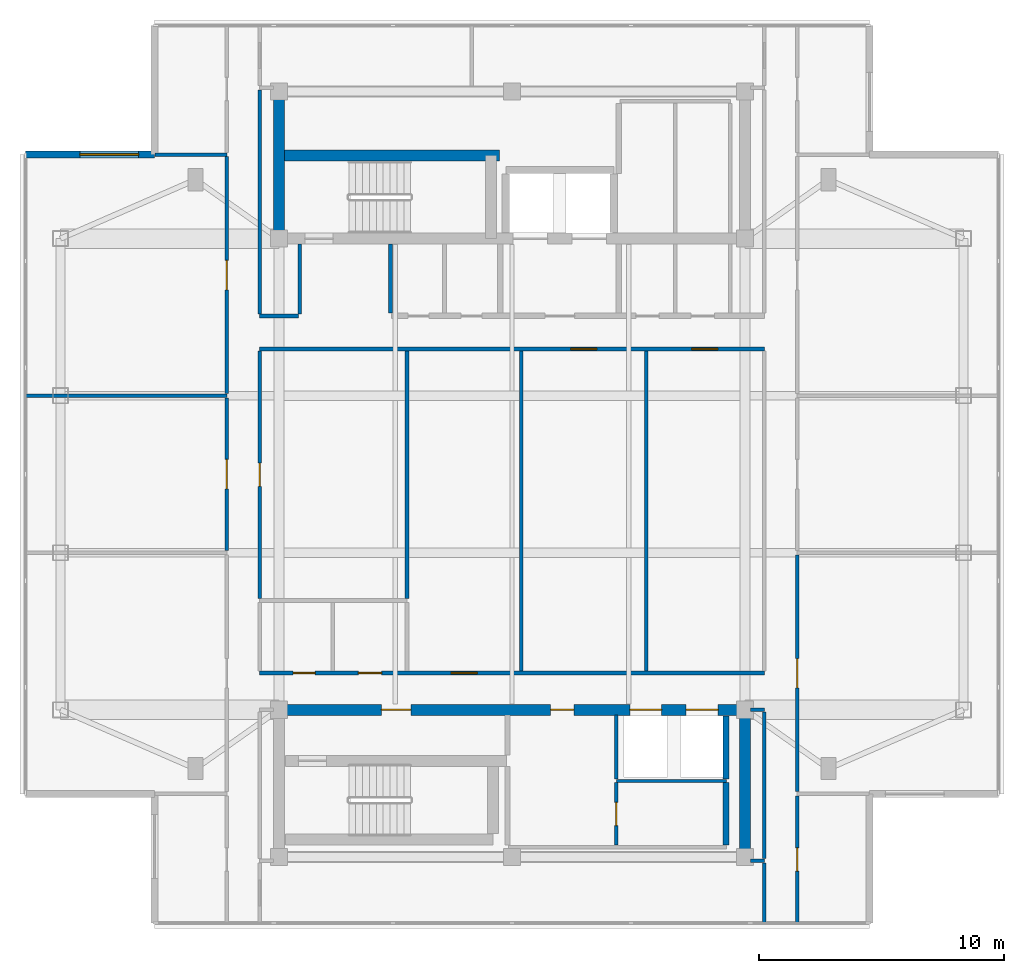
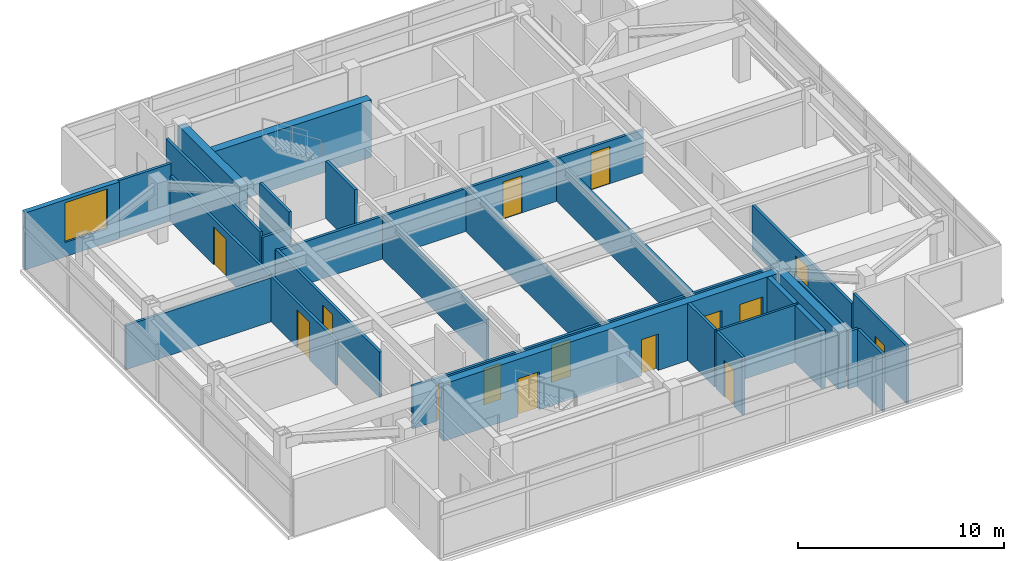
# One storey, part 5 of 10: 30 walls, 15 doors, 1 window, 16 openings.
"""IFC4 building model written with IfcOpenShell, lengths in metres."""

from ifc_helpers import new_model, si_unit, direction, frame, frame_2d, origin, place, context, subcontext, project, spatial, rectangle, extrude, material, layer, layer_set, type_object, element, fill, save


model = new_model("IFC4")

# Units and contexts
model_context = context("Model", 3, precision=1e-05, world=origin(), true_north=direction((0.0, 1.0)))
body_context = subcontext(model_context, "Body", "Model", "MODEL_VIEW")
ifc_project = project(units=[si_unit("LENGTHUNIT", "METRE"), si_unit("AREAUNIT", "SQUARE_METRE"), si_unit("VOLUMEUNIT", "CUBIC_METRE"), si_unit("PLANEANGLEUNIT", "RADIAN"), si_unit("MASSUNIT", "GRAM", prefix="KILO")], contexts=[model_context])

# Site, building, storey
site_placement = place(None, origin())
site = spatial("IfcSite", under=ifc_project, at=site_placement, CompositionType="ELEMENT")
building_placement = place(site_placement, origin())
building = spatial("IfcBuilding", under=site, at=building_placement, Name="Mirazonda Arch Towers", CompositionType="ELEMENT")
storey_placement = place(building_placement, frame((0.0, 0.0, 249.10009765625)))
storey = spatial("IfcBuildingStorey", under=building, at=storey_placement, Name="L71", CompositionType="ELEMENT", Elevation=249.10009765625)

# Walls
ifc_material_1 = material(Name="Concrete C50/60", Category="concrete")
ifc_layer_1 = layer(ifc_material_1, 0.449951171875, Name="WALL-CORE-450")
ifc_layer_set_1 = layer_set([ifc_layer_1], Name="Concrete C50/60")
wall_type_1 = type_object("IfcWallType", Name="WALL-CORE-450", PredefinedType="SHEAR", material=ifc_layer_set_1)
wall_1_placement = place(storey_placement, frame((11.0, 37.60009765625, 0.0), z_axis=(0.0, 0.0, 1.0), x_axis=(0.0, 1.0, 0.0)))
element("IfcWall", 1, at=wall_1_placement, inside=storey, type_object=wall_type_1, Name="L71 T1N-W Core Shear Wall", PredefinedType="SHEAR", context=body_context, shape_type="SweptSolid", body=[
    extrude(rectangle(XDim=6.0, YDim=0.449951171875, at=frame_2d((3.0, 0.0))), origin(), (0.0, 0.0, 1.0), 3.39990234375),
])
wall_2_placement = place(storey_placement, frame((11.0, 40.992919921875, 0.0), z_axis=(0.0, 0.0, 1.0), x_axis=(1.0, 0.0, 0.0)))
element("IfcWall", 2, at=wall_2_placement, inside=storey, type_object=wall_type_1, Name="L71 T1N-STN Core Shear Wall", PredefinedType="SHEAR", context=body_context, shape_type="SweptSolid", body=[
    extrude(rectangle(XDim=9.0, YDim=0.449951171875, at=frame_2d((4.5, 0.0))), origin(), (0.0, 0.0, 1.0), 3.39990234375),
])
wall_3_placement = place(storey_placement, frame((30.0, 12.39990234375, 0.0), z_axis=(0.0, 0.0, 1.0), x_axis=(0.0, 1.0, 0.0)))
element("IfcWall", 3, at=wall_3_placement, inside=storey, type_object=wall_type_1, Name="L71 T1S-E Core Shear Wall", PredefinedType="SHEAR", context=body_context, shape_type="SweptSolid", body=[
    extrude(rectangle(XDim=6.0, YDim=0.449951171875, at=frame_2d((3.0, 0.0))), origin(), (0.0, 0.0, 1.0), 3.39990234375),
])

# Wall, openings, doors
wall_4_placement = place(storey_placement, frame((11.0, 18.39990234375, 0.0), z_axis=(0.0, 0.0, 1.0), x_axis=(1.0, 0.0, 0.0)))
wall_4 = element("IfcWall", 4, at=wall_4_placement, inside=storey, type_object=wall_type_1, Name="L71 T1S-N Core Shear Wall", PredefinedType="SHEAR", context=body_context, shape_type="SweptSolid", body=[
    extrude(rectangle(XDim=19.0, YDim=0.449951171875, at=frame_2d((9.5, 0.0))), origin(), (0.0, 0.0, 1.0), 3.39990234375),
])
opening_1_placement = place(wall_4_placement, frame((4.175048828125, 0.0, 0.0)))
opening_1 = element("IfcOpeningElement", 5, at=opening_1_placement, cuts=wall_4, Name="Opening DR-117", PredefinedType="OPENING", context=body_context, shape_type="SweptSolid", body=[
    extrude(rectangle(XDim=1.199951171875, YDim=2.25, at=frame_2d((0.60009765625, 1.125))), frame((0.0, 0.23486328125, 0.0), z_axis=(0.0, -1.0, 0.0), x_axis=(1.0, 0.0, 0.0)), (0.0, 0.0, 1.0), 0.469970703125),
])
opening_2_placement = place(wall_4_placement, frame((11.074951171875, 0.0, 0.0)))
opening_2 = element("IfcOpeningElement", 6, at=opening_2_placement, cuts=wall_4, Name="Opening DR-104", PredefinedType="OPENING", context=body_context, shape_type="SweptSolid", body=[
    extrude(rectangle(XDim=0.949951171875, YDim=2.14990234375, at=frame_2d((0.47509765625, 1.074951171875))), frame((0.0, 0.23486328125, 0.0), z_axis=(0.0, -1.0, 0.0), x_axis=(1.0, 0.0, 0.0)), (0.0, 0.0, 1.0), 0.469970703125),
])
opening_3_placement = place(wall_4_placement, frame((14.300048828125, 0.0, 0.0)))
opening_3 = element("IfcOpeningElement", 7, at=opening_3_placement, cuts=wall_4, Name="Opening LD-111", PredefinedType="OPENING", context=body_context, shape_type="SweptSolid", body=[
    extrude(rectangle(XDim=1.300048828125, YDim=2.300048828125, at=frame_2d((0.64990234375, 1.14990234375))), frame((0.0, 0.23486328125, 0.0), z_axis=(0.0, -1.0, 0.0), x_axis=(1.0, 0.0, 0.0)), (0.0, 0.0, 1.0), 0.469970703125),
])
opening_4_placement = place(wall_4_placement, frame((16.60009765625, 0.0, 0.0)))
opening_4 = element("IfcOpeningElement", 8, at=opening_4_placement, cuts=wall_4, Name="Opening LD-111", PredefinedType="OPENING", context=body_context, shape_type="SweptSolid", body=[
    extrude(rectangle(XDim=1.300048828125, YDim=2.300048828125, at=frame_2d((0.64990234375, 1.14990234375))), frame((0.0, 0.23486328125, 0.0), z_axis=(0.0, -1.0, 0.0), x_axis=(1.0, 0.0, 0.0)), (0.0, 0.0, 1.0), 0.469970703125),
])
ifc_material_2 = material(Name="Architectural Brushed Steel S355", Category="steel")
door_type_1 = type_object("IfcDoorType", Name="DOOR-FFL-FD90-1200", OperationType="NOTDEFINED", PredefinedType="DOOR", material=ifc_material_2)
door_1_placement = place(opening_1_placement, origin())
door_1 = element("IfcDoor", 9, at=door_1_placement, inside=storey, type_object=door_type_1, Name="L71 South Core Stair & Lift Lobby Door", OperationType="SINGLE_SWING_LEFT", OverallHeight=2.25, OverallWidth=1.199951171875, PredefinedType="DOOR", context=body_context, shape_type="SweptSolid", body=[
    extrude(rectangle(XDim=1.199951171875, YDim=2.25, at=frame_2d((0.60009765625, 1.125))), frame((0.0, 0.02490234375, 0.0), z_axis=(0.0, -1.0, 0.0), x_axis=(1.0, 0.0, 0.0)), (0.0, 0.0, 1.0), 0.050048828125),
])
fill(opening_1, door_1)
door_type_2 = type_object("IfcDoorType", Name="DOOR-LIFT-LAND-1300", OperationType="NOTDEFINED", PredefinedType="DOOR", material=ifc_material_2)
door_2_placement = place(opening_3_placement, origin())
door_2 = element("IfcDoor", 10, at=door_2_placement, inside=storey, type_object=door_type_2, Name="L71 Lift Landing Sliding Door PL-T1H1", OperationType="DOUBLE_DOOR_SLIDING", OverallHeight=2.300048828125, OverallWidth=1.300048828125, PredefinedType="DOOR", context=body_context, shape_type="SweptSolid", body=[
    extrude(rectangle(XDim=1.300048828125, YDim=2.300048828125, at=frame_2d((0.64990234375, 1.14990234375))), frame((0.0, 0.02490234375, 0.0), z_axis=(0.0, -1.0, 0.0), x_axis=(1.0, 0.0, 0.0)), (0.0, 0.0, 1.0), 0.050048828125),
])
fill(opening_3, door_2)
door_3_placement = place(opening_4_placement, origin())
door_3 = element("IfcDoor", 11, at=door_3_placement, inside=storey, type_object=door_type_2, Name="L71 Lift Landing Sliding Door PL-T1H2", OperationType="DOUBLE_DOOR_SLIDING", OverallHeight=2.300048828125, OverallWidth=1.300048828125, PredefinedType="DOOR", context=body_context, shape_type="SweptSolid", body=[
    extrude(rectangle(XDim=1.300048828125, YDim=2.300048828125, at=frame_2d((0.64990234375, 1.14990234375))), frame((0.0, 0.02490234375, 0.0), z_axis=(0.0, -1.0, 0.0), x_axis=(1.0, 0.0, 0.0)), (0.0, 0.0, 1.0), 0.050048828125),
])
fill(opening_4, door_3)
door_type_3 = type_object("IfcDoorType", Name="DOOR-ROOM-950", OperationType="NOTDEFINED", PredefinedType="DOOR", material=ifc_material_2)
door_4_placement = place(opening_2_placement, origin())
door_4 = element("IfcDoor", 12, at=door_4_placement, inside=storey, type_object=door_type_3, Name="L71 Residents Wine Tasting Lounge Door", OperationType="SINGLE_SWING_LEFT", OverallHeight=2.14990234375, OverallWidth=0.949951171875, PredefinedType="DOOR", context=body_context, shape_type="SweptSolid", body=[
    extrude(rectangle(XDim=0.949951171875, YDim=2.14990234375, at=frame_2d((0.47509765625, 1.074951171875))), frame((0.0, 0.02490234375, 0.0), z_axis=(0.0, -1.0, 0.0), x_axis=(1.0, 0.0, 0.0)), (0.0, 0.0, 1.0), 0.050048828125),
])
fill(opening_2, door_4)

# Wall, opening, window
ifc_material_3 = material(Name="Precast Concrete C40/50", Category="concrete")
ifc_layer_2 = layer(ifc_material_3, 0.280029296875, Name="WALL-EXT-WALL-280")
ifc_layer_set_2 = layer_set([ifc_layer_2], Name="Precast Concrete C40/50")
wall_type_2 = type_object("IfcWallType", Name="WALL-EXT-WALL-280", PredefinedType="SOLIDWALL", material=ifc_layer_set_2)
wall_5_placement = place(storey_placement, frame((5.93505859375, 41.02490234375, 0.0), z_axis=(0.0, 0.0, 1.0), x_axis=(-1.0, 0.0, 0.0)))
wall_5 = element("IfcWall", 13, at=wall_5_placement, inside=storey, type_object=wall_type_2, Name="L71 T1 Corner Notch Return Wall WL-L71-T1-CNW1", PredefinedType="SOLIDWALL", context=body_context, shape_type="SweptSolid", body=[
    extrude(rectangle(XDim=5.26513671875, YDim=0.280029296875, at=frame_2d((2.632568359375, 0.0))), origin(), (0.0, 0.0, 1.0), 3.3798828125),
])
opening_5_placement = place(wall_5_placement, frame((0.64990234375, 0.0, 0.85009765625)))
opening_5 = element("IfcOpeningElement", 14, at=opening_5_placement, cuts=wall_5, Name="Opening WN-121", PredefinedType="OPENING", context=body_context, shape_type="SweptSolid", body=[
    extrude(rectangle(XDim=2.39990234375, YDim=2.35009765625, at=frame_2d((1.199951171875, 1.175048828125))), frame((0.0, 0.14990234375, 0.0), z_axis=(0.0, -1.0, 0.0), x_axis=(1.0, 0.0, 0.0)), (0.0, 0.0, 1.0), 0.300048828125),
])
ifc_material_4 = material(Name="Insulated Low-E Solar Glass", Category="glass")
window_type = type_object("IfcWindowType", Name="WIN-PENT-2400x2350", PartitioningType="SINGLE_PANEL", PredefinedType="WINDOW", material=ifc_material_4)
window_placement = place(opening_5_placement, origin())
window = element("IfcWindow", 15, at=window_placement, inside=storey, type_object=window_type, Name="L71 Punched Facade Window WN-L71-T1-CNW1", OverallHeight=2.35009765625, OverallWidth=2.39990234375, PartitioningType="SINGLE_PANEL", PredefinedType="WINDOW", context=body_context, shape_type="SweptSolid", body=[
    extrude(rectangle(XDim=2.39990234375, YDim=2.35009765625, at=frame_2d((1.199951171875, 1.175048828125))), frame((0.0, 0.030029296875, 0.0), z_axis=(0.0, -1.0, 0.0), x_axis=(1.0, 0.0, 0.0)), (0.0, 0.0, 1.0), 0.06005859375),
])
fill(opening_5, window)

# Walls
ifc_material_5 = material(Name="Fire-Rated Gypsum Stud Partition")
ifc_layer_3 = layer(ifc_material_5, 0.14990234375, Name="WALL-PART-CORR-150")
ifc_layer_set_3 = layer_set([ifc_layer_3], Name="Fire-Rated Gypsum Stud Partition")
wall_type_3 = type_object("IfcWallType", Name="WALL-PART-CORR-150", PredefinedType="PARTITIONING", material=ifc_layer_set_3)
wall_6_placement = place(storey_placement, frame((30.219970703125, 12.25, 0.0), z_axis=(0.0, 0.0, 1.0), x_axis=(1.0, 0.0, 0.0)))
element("IfcWall", 16, at=wall_6_placement, inside=storey, type_object=wall_type_3, Name="L71 Interior Partition 002", PredefinedType="PARTITIONING", context=body_context, shape_type="SweptSolid", body=[
    extrude(rectangle(XDim=0.56005859375, YDim=0.14990234375, at=frame_2d((0.280029296875, 0.0))), origin(), (0.0, 0.0, 1.0), 3.39990234375),
])
wall_7_placement = place(storey_placement, frame((30.219970703125, 18.39990234375, 0.0), z_axis=(0.0, 0.0, 1.0), x_axis=(1.0, 0.0, 0.0)))
element("IfcWall", 17, at=wall_7_placement, inside=storey, type_object=wall_type_3, Name="L71 Interior Partition 010", PredefinedType="PARTITIONING", context=body_context, shape_type="SweptSolid", body=[
    extrude(rectangle(XDim=0.56005859375, YDim=0.14990234375, at=frame_2d((0.280029296875, 0.0))), origin(), (0.0, 0.0, 1.0), 2.7919921875),
])

# Wall, openings, doors
wall_8_placement = place(storey_placement, frame((10.219970703125, 19.89990234375, 0.0), z_axis=(0.0, 0.0, 1.0), x_axis=(1.0, 0.0, 0.0)))
wall_8 = element("IfcWall", 18, at=wall_8_placement, inside=storey, type_object=wall_type_3, Name="L71 Interior Partition 011", PredefinedType="PARTITIONING", context=body_context, shape_type="SweptSolid", body=[
    extrude(rectangle(XDim=20.56005859375, YDim=0.14990234375, at=frame_2d((10.280029296875, 0.0))), origin(), (0.0, 0.0, 1.0), 2.535888671875),
])
opening_6_placement = place(wall_8_placement, frame((1.360107421875, 0.0, 0.0)))
opening_6 = element("IfcOpeningElement", 19, at=opening_6_placement, cuts=wall_8, Name="Opening DR-120", PredefinedType="OPENING", context=body_context, shape_type="SweptSolid", body=[
    extrude(rectangle(XDim=0.89990234375, YDim=2.10009765625, at=frame_2d((0.449951171875, 1.050048828125))), frame((0.0, 0.0849609375, 0.0), z_axis=(0.0, -1.0, 0.0), x_axis=(1.0, 0.0, 0.0)), (0.0, 0.0, 1.0), 0.169921875),
])
opening_7_placement = place(wall_8_placement, frame((4.014892578125, 0.0, 0.0)))
opening_7 = element("IfcOpeningElement", 20, at=opening_7_placement, cuts=wall_8, Name="Opening DR-104", PredefinedType="OPENING", context=body_context, shape_type="SweptSolid", body=[
    extrude(rectangle(XDim=0.949951171875, YDim=2.14990234375, at=frame_2d((0.47509765625, 1.074951171875))), frame((0.0, 0.0849609375, 0.0), z_axis=(0.0, -1.0, 0.0), x_axis=(1.0, 0.0, 0.0)), (0.0, 0.0, 1.0), 0.169921875),
])
opening_8_placement = place(wall_8_placement, frame((7.804443359375, 0.0, 0.0)))
opening_8 = element("IfcOpeningElement", 21, at=opening_8_placement, cuts=wall_8, Name="Opening DR-121", PredefinedType="OPENING", context=body_context, shape_type="SweptSolid", body=[
    extrude(rectangle(XDim=1.050048828125, YDim=2.199951171875, at=frame_2d((0.52490234375, 1.10009765625))), frame((0.0, 0.0849609375, 0.0), z_axis=(0.0, -1.0, 0.0), x_axis=(1.0, 0.0, 0.0)), (0.0, 0.0, 1.0), 0.169921875),
])
door_5_placement = place(opening_7_placement, origin())
door_5 = element("IfcDoor", 22, at=door_5_placement, inside=storey, type_object=door_type_3, Name="L71 L71 West Courtyard Study Door", OperationType="SINGLE_SWING_RIGHT", OverallHeight=2.14990234375, OverallWidth=0.949951171875, PredefinedType="DOOR", context=body_context, shape_type="SweptSolid", body=[
    extrude(rectangle(XDim=0.949951171875, YDim=2.14990234375, at=frame_2d((0.47509765625, 1.074951171875))), frame((0.0, 0.02490234375, 0.0), z_axis=(0.0, -1.0, 0.0), x_axis=(1.0, 0.0, 0.0)), (0.0, 0.0, 1.0), 0.050048828125),
])
fill(opening_7, door_5)
door_type_4 = type_object("IfcDoorType", Name="DOOR-SUITE-FD60-1050", OperationType="NOTDEFINED", PredefinedType="DOOR", material=ifc_material_2)
door_6_placement = place(opening_8_placement, origin())
door_6 = element("IfcDoor", 23, at=door_6_placement, inside=storey, type_object=door_type_4, Name="L71 Sky-Atrium Orientation Gallery Door", OperationType="SINGLE_SWING_RIGHT", OverallHeight=2.199951171875, OverallWidth=1.050048828125, PredefinedType="DOOR", context=body_context, shape_type="SweptSolid", body=[
    extrude(rectangle(XDim=1.050048828125, YDim=2.199951171875, at=frame_2d((0.52490234375, 1.10009765625))), frame((0.0, 0.02490234375, 0.0), z_axis=(0.0, -1.0, 0.0), x_axis=(1.0, 0.0, 0.0)), (0.0, 0.0, 1.0), 0.050048828125),
])
fill(opening_8, door_6)
door_type_5 = type_object("IfcDoorType", Name="DOOR-WC-900", OperationType="NOTDEFINED", PredefinedType="DOOR", material=ifc_material_2)
door_7_placement = place(opening_6_placement, origin())
door_7 = element("IfcDoor", 24, at=door_7_placement, inside=storey, type_object=door_type_5, Name="L71 Common Accessible WC Door", OperationType="SINGLE_SWING_LEFT", OverallHeight=2.10009765625, OverallWidth=0.89990234375, PredefinedType="DOOR", context=body_context, shape_type="SweptSolid", body=[
    extrude(rectangle(XDim=0.89990234375, YDim=2.10009765625, at=frame_2d((0.449951171875, 1.050048828125))), frame((0.0, 0.02490234375, 0.0), z_axis=(0.0, -1.0, 0.0), x_axis=(1.0, 0.0, 0.0)), (0.0, 0.0, 1.0), 0.050048828125),
])
fill(opening_6, door_7)

# Wall
wall_9_placement = place(storey_placement, frame((0.669921875, 31.199951171875, 0.0), z_axis=(0.0, 0.0, 1.0), x_axis=(1.0, 0.0, 0.0)))
element("IfcWall", 25, at=wall_9_placement, inside=storey, type_object=wall_type_3, Name="L71 Interior Partition 015", PredefinedType="PARTITIONING", context=body_context, shape_type="SweptSolid", body=[
    extrude(rectangle(XDim=8.2099609375, YDim=0.14990234375, at=frame_2d((4.10498046875, 0.0))), origin(), (0.0, 0.0, 1.0), 2.618896484375),
])

# Wall, openings, doors
wall_10_placement = place(storey_placement, frame((10.219970703125, 33.10009765625, 0.0), z_axis=(0.0, 0.0, 1.0), x_axis=(1.0, 0.0, 0.0)))
wall_10 = element("IfcWall", 26, at=wall_10_placement, inside=storey, type_object=wall_type_3, Name="L71 Interior Partition 017", PredefinedType="PARTITIONING", context=body_context, shape_type="SweptSolid", body=[
    extrude(rectangle(XDim=20.56005859375, YDim=0.14990234375, at=frame_2d((10.280029296875, 0.0))), origin(), (0.0, 0.0, 1.0), 2.535888671875),
])
opening_9_placement = place(wall_10_placement, frame((12.681884765625, 0.0, 0.0)))
opening_9 = element("IfcOpeningElement", 27, at=opening_9_placement, cuts=wall_10, Name="Opening DR-121", PredefinedType="OPENING", context=body_context, shape_type="SweptSolid", body=[
    extrude(rectangle(XDim=1.050048828125, YDim=2.199951171875, at=frame_2d((0.52490234375, 1.10009765625))), frame((0.0, 0.0849609375, 0.0), z_axis=(0.0, -1.0, 0.0), x_axis=(1.0, 0.0, 0.0)), (0.0, 0.0, 1.0), 0.169921875),
])
opening_10_placement = place(wall_10_placement, frame((17.612548828125, 0.0, 0.0)))
opening_10 = element("IfcOpeningElement", 28, at=opening_10_placement, cuts=wall_10, Name="Opening DR-121", PredefinedType="OPENING", context=body_context, shape_type="SweptSolid", body=[
    extrude(rectangle(XDim=1.050048828125, YDim=2.199951171875, at=frame_2d((0.52490234375, 1.10009765625))), frame((0.0, 0.0849609375, 0.0), z_axis=(0.0, -1.0, 0.0), x_axis=(1.0, 0.0, 0.0)), (0.0, 0.0, 1.0), 0.169921875),
])
door_8_placement = place(opening_9_placement, origin())
door_8 = element("IfcDoor", 29, at=door_8_placement, inside=storey, type_object=door_type_4, Name="L71 Astronomical Viewing Study Door", OperationType="SINGLE_SWING_LEFT", OverallHeight=2.199951171875, OverallWidth=1.050048828125, PredefinedType="DOOR", context=body_context, shape_type="SweptSolid", body=[
    extrude(rectangle(XDim=1.050048828125, YDim=2.199951171875, at=frame_2d((0.52490234375, 1.10009765625))), frame((0.0, 0.02490234375, 0.0), z_axis=(0.0, -1.0, 0.0), x_axis=(1.0, 0.0, 0.0)), (0.0, 0.0, 1.0), 0.050048828125),
])
fill(opening_9, door_8)
door_9_placement = place(opening_10_placement, origin())
door_9 = element("IfcDoor", 30, at=door_9_placement, inside=storey, type_object=door_type_4, Name="L71 Public Refreshment Tea Bar Door", OperationType="SINGLE_SWING_RIGHT", OverallHeight=2.199951171875, OverallWidth=1.050048828125, PredefinedType="DOOR", context=body_context, shape_type="SweptSolid", body=[
    extrude(rectangle(XDim=1.050048828125, YDim=2.199951171875, at=frame_2d((0.52490234375, 1.10009765625))), frame((0.0, 0.02490234375, 0.0), z_axis=(0.0, -1.0, 0.0), x_axis=(1.0, 0.0, 0.0)), (0.0, 0.0, 1.0), 0.050048828125),
])
fill(opening_10, door_9)

# Walls
wall_11_placement = place(storey_placement, frame((10.219970703125, 34.449951171875, 0.0), z_axis=(0.0, 0.0, 1.0), x_axis=(1.0, 0.0, 0.0)))
element("IfcWall", 31, at=wall_11_placement, inside=storey, type_object=wall_type_3, Name="L71 Interior Partition 018", PredefinedType="PARTITIONING", context=body_context, shape_type="SweptSolid", body=[
    extrude(rectangle(XDim=1.580078125, YDim=0.14990234375, at=frame_2d((0.7900390625, 0.0))), origin(), (0.0, 0.0, 1.0), 2.535888671875),
])
wall_12_placement = place(storey_placement, frame((5.955078125, 41.02490234375, 0.0), z_axis=(0.0, 0.0, 1.0), x_axis=(1.0, 0.0, 0.0)))
element("IfcWall", 32, at=wall_12_placement, inside=storey, type_object=wall_type_3, Name="L71 Interior Partition 021", PredefinedType="PARTITIONING", context=body_context, shape_type="SweptSolid", body=[
    extrude(rectangle(XDim=2.9248046875, YDim=0.14990234375, at=frame_2d((1.46240234375, 0.0))), origin(), (0.0, 0.0, 1.0), 3.39990234375),
])

# Wall, opening, door
wall_13_placement = place(storey_placement, frame((8.8798828125, 24.885009765625, 0.0), z_axis=(0.0, 0.0, 1.0), x_axis=(0.0, 1.0, 0.0)))
wall_13 = element("IfcWall", 33, at=wall_13_placement, inside=storey, type_object=wall_type_3, Name="L71 Interior Partition 028", PredefinedType="PARTITIONING", context=body_context, shape_type="SweptSolid", body=[
    extrude(rectangle(XDim=6.22998046875, YDim=0.14990234375, at=frame_2d((3.114990234375, 0.0))), origin(), (0.0, 0.0, 1.0), 2.69580078125),
])
opening_11_placement = place(wall_13_placement, frame((2.514892578125, 0.0, 0.0)))
opening_11 = element("IfcOpeningElement", 34, at=opening_11_placement, cuts=wall_13, Name="Opening DR-117", PredefinedType="OPENING", context=body_context, shape_type="SweptSolid", body=[
    extrude(rectangle(XDim=1.199951171875, YDim=2.25, at=frame_2d((0.60009765625, 1.125))), frame((0.0, 0.0849609375, 0.0), z_axis=(0.0, -1.0, 0.0), x_axis=(1.0, 0.0, 0.0)), (0.0, 0.0, 1.0), 0.169921875),
])
door_10_placement = place(opening_11_placement, origin())
door_10 = element("IfcDoor", 35, at=door_10_placement, inside=storey, type_object=door_type_1, Name="L71 Interactive City Heritage Gallery 2 Door", OperationType="SINGLE_SWING_LEFT", OverallHeight=2.25, OverallWidth=1.199951171875, PredefinedType="DOOR", context=body_context, shape_type="SweptSolid", body=[
    extrude(rectangle(XDim=1.199951171875, YDim=2.25, at=frame_2d((0.60009765625, 1.125))), frame((0.0, 0.02490234375, 0.0), z_axis=(0.0, -1.0, 0.0), x_axis=(1.0, 0.0, 0.0)), (0.0, 0.0, 1.0), 0.050048828125),
])
fill(opening_11, door_10)

wall_14_placement = place(storey_placement, frame((8.8798828125, 31.284912109375, 0.0), z_axis=(0.0, 0.0, 1.0), x_axis=(0.0, 1.0, 0.0)))
wall_14 = element("IfcWall", 36, at=wall_14_placement, inside=storey, type_object=wall_type_3, Name="L71 Interior Partition 029", PredefinedType="PARTITIONING", context=body_context, shape_type="SweptSolid", body=[
    extrude(rectangle(XDim=9.655029296875, YDim=0.14990234375, at=frame_2d((4.82763671875, 0.0))), origin(), (0.0, 0.0, 1.0), 2.69580078125),
])
opening_12_placement = place(wall_14_placement, frame((4.2275390625, 0.0, 0.0)))
opening_12 = element("IfcOpeningElement", 37, at=opening_12_placement, cuts=wall_14, Name="Opening DR-117", PredefinedType="OPENING", context=body_context, shape_type="SweptSolid", body=[
    extrude(rectangle(XDim=1.199951171875, YDim=2.25, at=frame_2d((0.60009765625, 1.125))), frame((0.0, 0.0849609375, 0.0), z_axis=(0.0, -1.0, 0.0), x_axis=(1.0, 0.0, 0.0)), (0.0, 0.0, 1.0), 0.169921875),
])
door_11_placement = place(opening_12_placement, origin())
door_11 = element("IfcDoor", 38, at=door_11_placement, inside=storey, type_object=door_type_1, Name="L71 High-Altitude Telescope Salon 3 Door", OperationType="SINGLE_SWING_RIGHT", OverallHeight=2.25, OverallWidth=1.199951171875, PredefinedType="DOOR", context=body_context, shape_type="SweptSolid", body=[
    extrude(rectangle(XDim=1.199951171875, YDim=2.25, at=frame_2d((0.60009765625, 1.125))), frame((0.0, 0.02490234375, 0.0), z_axis=(0.0, -1.0, 0.0), x_axis=(1.0, 0.0, 0.0)), (0.0, 0.0, 1.0), 0.050048828125),
])
fill(opening_12, door_11)

wall_15_placement = place(storey_placement, frame((10.219970703125, 22.93505859375, 0.0), z_axis=(0.0, 0.0, 1.0), x_axis=(0.0, 1.0, 0.0)))
wall_15 = element("IfcWall", 39, at=wall_15_placement, inside=storey, type_object=wall_type_3, Name="L71 Interior Partition 034", PredefinedType="PARTITIONING", context=body_context, shape_type="SweptSolid", body=[
    extrude(rectangle(XDim=10.079833984375, YDim=0.14990234375, at=frame_2d((5.0400390625, 0.0))), origin(), (0.0, 0.0, 1.0), 2.69580078125),
])
opening_13_placement = place(wall_15_placement, frame((4.56494140625, 0.0, 0.0)))
opening_13 = element("IfcOpeningElement", 40, at=opening_13_placement, cuts=wall_15, Name="Opening DR-104", PredefinedType="OPENING", context=body_context, shape_type="SweptSolid", body=[
    extrude(rectangle(XDim=0.949951171875, YDim=2.14990234375, at=frame_2d((0.47509765625, 1.074951171875))), frame((0.0, 0.0849609375, 0.0), z_axis=(0.0, -1.0, 0.0), x_axis=(1.0, 0.0, 0.0)), (0.0, 0.0, 1.0), 0.169921875),
])
door_12_placement = place(opening_13_placement, origin())
door_12 = element("IfcDoor", 41, at=door_12_placement, inside=storey, type_object=door_type_3, Name="L71 L71 West Courtyard Salon Door", OperationType="SINGLE_SWING_LEFT", OverallHeight=2.14990234375, OverallWidth=0.949951171875, PredefinedType="DOOR", context=body_context, shape_type="SweptSolid", body=[
    extrude(rectangle(XDim=0.949951171875, YDim=2.14990234375, at=frame_2d((0.47509765625, 1.074951171875))), frame((0.0, 0.02490234375, 0.0), z_axis=(0.0, -1.0, 0.0), x_axis=(1.0, 0.0, 0.0)), (0.0, 0.0, 1.0), 0.050048828125),
])
fill(opening_13, door_12)

# Walls
wall_16_placement = place(storey_placement, frame((10.219970703125, 34.534912109375, 0.0), z_axis=(0.0, 0.0, 1.0), x_axis=(0.0, 1.0, 0.0)))
element("IfcWall", 42, at=wall_16_placement, inside=storey, type_object=wall_type_3, Name="L71 Interior Partition 035", PredefinedType="PARTITIONING", context=body_context, shape_type="SweptSolid", body=[
    extrude(rectangle(XDim=9.130126953125, YDim=0.14990234375, at=frame_2d((4.56494140625, 0.0))), origin(), (0.0, 0.0, 1.0), 2.7919921875),
])
wall_17_placement = place(storey_placement, frame((11.85009765625, 34.534912109375, 0.0), z_axis=(0.0, 0.0, 1.0), x_axis=(0.0, 1.0, 0.0)))
element("IfcWall", 43, at=wall_17_placement, inside=storey, type_object=wall_type_3, Name="L71 Interior Partition 037", PredefinedType="PARTITIONING", context=body_context, shape_type="SweptSolid", body=[
    extrude(rectangle(XDim=2.844970703125, YDim=0.14990234375, at=frame_2d((1.42236328125, 0.0))), origin(), (0.0, 0.0, 1.0), 3.39990234375),
])
wall_18_placement = place(storey_placement, frame((15.550048828125, 34.570068359375, 0.0), z_axis=(0.0, 0.0, 1.0), x_axis=(0.0, 1.0, 0.0)))
element("IfcWall", 44, at=wall_18_placement, inside=storey, type_object=wall_type_3, Name="L71 Interior Partition 039", PredefinedType="PARTITIONING", context=body_context, shape_type="SweptSolid", body=[
    extrude(rectangle(XDim=2.809814453125, YDim=0.14990234375, at=frame_2d((1.40478515625, 0.0))), origin(), (0.0, 0.0, 1.0), 3.39990234375),
])
wall_19_placement = place(storey_placement, frame((16.219970703125, 22.93505859375, 0.0), z_axis=(0.0, 0.0, 1.0), x_axis=(0.0, 1.0, 0.0)))
element("IfcWall", 45, at=wall_19_placement, inside=storey, type_object=wall_type_3, Name="L71 Interior Partition 041", PredefinedType="PARTITIONING", context=body_context, shape_type="SweptSolid", body=[
    extrude(rectangle(XDim=10.079833984375, YDim=0.14990234375, at=frame_2d((5.0400390625, 0.0))), origin(), (0.0, 0.0, 1.0), 2.535888671875),
])
wall_20_placement = place(storey_placement, frame((20.87890625, 19.985107421875, 0.0), z_axis=(0.0, 0.0, 1.0), x_axis=(0.0, 1.0, 0.0)))
element("IfcWall", 46, at=wall_20_placement, inside=storey, type_object=wall_type_3, Name="L71 Interior Partition 049", PredefinedType="PARTITIONING", context=body_context, shape_type="SweptSolid", body=[
    extrude(rectangle(XDim=13.02978515625, YDim=0.14990234375, at=frame_2d((6.514892578125, 0.0))), origin(), (0.0, 0.0, 1.0), 2.535888671875),
])

# Wall, opening, door
wall_21_placement = place(storey_placement, frame((24.75, 12.885009765625, 0.0), z_axis=(0.0, 0.0, 1.0), x_axis=(0.0, 1.0, 0.0)))
wall_21 = element("IfcWall", 47, at=wall_21_placement, inside=storey, type_object=wall_type_3, Name="L71 Interior Partition 050", PredefinedType="PARTITIONING", context=body_context, shape_type="SweptSolid", body=[
    extrude(rectangle(XDim=2.54248046875, YDim=0.14990234375, at=frame_2d((1.271240234375, 0.0))), origin(), (0.0, 0.0, 1.0), 3.39990234375),
])
opening_14_placement = place(wall_21_placement, frame((0.79638671875, 0.0, 0.0)))
opening_14 = element("IfcOpeningElement", 48, at=opening_14_placement, cuts=wall_21, Name="Opening DR-104", PredefinedType="OPENING", context=body_context, shape_type="SweptSolid", body=[
    extrude(rectangle(XDim=0.949951171875, YDim=2.14990234375, at=frame_2d((0.47509765625, 1.074951171875))), frame((0.0, 0.0849609375, 0.0), z_axis=(0.0, -1.0, 0.0), x_axis=(1.0, 0.0, 0.0)), (0.0, 0.0, 1.0), 0.169921875),
])
door_13_placement = place(opening_14_placement, origin())
door_13 = element("IfcDoor", 49, at=door_13_placement, inside=storey, type_object=door_type_3, Name="L71 Residents Private Archive Study Door", OperationType="SINGLE_SWING_RIGHT", OverallHeight=2.14990234375, OverallWidth=0.949951171875, PredefinedType="DOOR", context=body_context, shape_type="SweptSolid", body=[
    extrude(rectangle(XDim=0.949951171875, YDim=2.14990234375, at=frame_2d((0.47509765625, 1.074951171875))), frame((0.0, 0.02490234375, 0.0), z_axis=(0.0, -1.0, 0.0), x_axis=(1.0, 0.0, 0.0)), (0.0, 0.0, 1.0), 0.050048828125),
])
fill(opening_14, door_13)

# Walls
wall_22_placement = place(storey_placement, frame((24.75, 15.572509765625, 0.0), z_axis=(0.0, 0.0, 1.0), x_axis=(0.0, 1.0, 0.0)))
element("IfcWall", 50, at=wall_22_placement, inside=storey, type_object=wall_type_3, Name="L71 Interior Partition 051", PredefinedType="PARTITIONING", context=body_context, shape_type="SweptSolid", body=[
    extrude(rectangle(XDim=2.607421875, YDim=0.14990234375, at=frame_2d((1.3037109375, 0.0))), origin(), (0.0, 0.0, 1.0), 3.39990234375),
])
wall_23_placement = place(storey_placement, frame((25.97509765625, 19.985107421875, 0.0), z_axis=(0.0, 0.0, 1.0), x_axis=(0.0, 1.0, 0.0)))
element("IfcWall", 51, at=wall_23_placement, inside=storey, type_object=wall_type_3, Name="L71 Interior Partition 055", PredefinedType="PARTITIONING", context=body_context, shape_type="SweptSolid", body=[
    extrude(rectangle(XDim=13.02978515625, YDim=0.14990234375, at=frame_2d((6.514892578125, 0.0))), origin(), (0.0, 0.0, 1.0), 2.535888671875),
])
wall_24_placement = place(storey_placement, frame((30.780029296875, 9.7099609375, 0.0), z_axis=(0.0, 0.0, 1.0), x_axis=(0.0, 1.0, 0.0)))
element("IfcWall", 52, at=wall_24_placement, inside=storey, type_object=wall_type_3, Name="L71 Interior Partition 062", PredefinedType="PARTITIONING", context=body_context, shape_type="SweptSolid", body=[
    extrude(rectangle(XDim=2.455078125, YDim=0.14990234375, at=frame_2d((1.2275390625, 0.0))), origin(), (0.0, 0.0, 1.0), 3.39990234375),
])
wall_25_placement = place(storey_placement, frame((30.780029296875, 12.3349609375, 0.0), z_axis=(0.0, 0.0, 1.0), x_axis=(0.0, 1.0, 0.0)))
element("IfcWall", 53, at=wall_25_placement, inside=storey, type_object=wall_type_3, Name="L71 Interior Partition 063", PredefinedType="PARTITIONING", context=body_context, shape_type="SweptSolid", body=[
    extrude(rectangle(XDim=5.97998046875, YDim=0.14990234375, at=frame_2d((2.989990234375, 0.0))), origin(), (0.0, 0.0, 1.0), 2.7919921875),
])

# Wall, opening, door
wall_26_placement = place(storey_placement, frame((32.1201171875, 9.7099609375, 0.0), z_axis=(0.0, 0.0, 1.0), x_axis=(0.0, 1.0, 0.0)))
wall_26 = element("IfcWall", 54, at=wall_26_placement, inside=storey, type_object=wall_type_3, Name="L71 Interior Partition 067", PredefinedType="PARTITIONING", context=body_context, shape_type="SweptSolid", body=[
    extrude(rectangle(XDim=5.179931640625, YDim=0.14990234375, at=frame_2d((2.58984375, 0.0))), origin(), (0.0, 0.0, 1.0), 3.39990234375),
])
opening_15_placement = place(wall_26_placement, frame((2.114990234375, 0.0, 0.0)))
opening_15 = element("IfcOpeningElement", 55, at=opening_15_placement, cuts=wall_26, Name="Opening DR-104", PredefinedType="OPENING", context=body_context, shape_type="SweptSolid", body=[
    extrude(rectangle(XDim=0.949951171875, YDim=2.14990234375, at=frame_2d((0.47509765625, 1.074951171875))), frame((0.0, 0.0849609375, 0.0), z_axis=(0.0, -1.0, 0.0), x_axis=(1.0, 0.0, 0.0)), (0.0, 0.0, 1.0), 0.169921875),
])
door_14_placement = place(opening_15_placement, origin())
door_14 = element("IfcDoor", 56, at=door_14_placement, inside=storey, type_object=door_type_3, Name="L71 South Lookout Salon Alcove East Door", OperationType="SINGLE_SWING_LEFT", OverallHeight=2.14990234375, OverallWidth=0.949951171875, PredefinedType="DOOR", context=body_context, shape_type="SweptSolid", body=[
    extrude(rectangle(XDim=0.949951171875, YDim=2.14990234375, at=frame_2d((0.47509765625, 1.074951171875))), frame((0.0, 0.02490234375, 0.0), z_axis=(0.0, -1.0, 0.0), x_axis=(1.0, 0.0, 0.0)), (0.0, 0.0, 1.0), 0.050048828125),
])
fill(opening_15, door_14)

wall_27_placement = place(storey_placement, frame((32.1201171875, 15.06005859375, 0.0), z_axis=(0.0, 0.0, 1.0), x_axis=(0.0, 1.0, 0.0)))
wall_27 = element("IfcWall", 57, at=wall_27_placement, inside=storey, type_object=wall_type_3, Name="L71 Interior Partition 068", PredefinedType="PARTITIONING", context=body_context, shape_type="SweptSolid", body=[
    extrude(rectangle(XDim=9.655029296875, YDim=0.14990234375, at=frame_2d((4.82763671875, 0.0))), origin(), (0.0, 0.0, 1.0), 2.69580078125),
])
opening_16_placement = place(wall_27_placement, frame((4.2275390625, 0.0, 0.0)))
opening_16 = element("IfcOpeningElement", 58, at=opening_16_placement, cuts=wall_27, Name="Opening DR-117", PredefinedType="OPENING", context=body_context, shape_type="SweptSolid", body=[
    extrude(rectangle(XDim=1.199951171875, YDim=2.25, at=frame_2d((0.60009765625, 1.125))), frame((0.0, 0.0849609375, 0.0), z_axis=(0.0, -1.0, 0.0), x_axis=(1.0, 0.0, 0.0)), (0.0, 0.0, 1.0), 0.169921875),
])
door_15_placement = place(opening_16_placement, origin())
door_15 = element("IfcDoor", 59, at=door_15_placement, inside=storey, type_object=door_type_1, Name="L71 Public Sky-Lookout & Observation Deck 1 Door", OperationType="SINGLE_SWING_LEFT", OverallHeight=2.25, OverallWidth=1.199951171875, PredefinedType="DOOR", context=body_context, shape_type="SweptSolid", body=[
    extrude(rectangle(XDim=1.199951171875, YDim=2.25, at=frame_2d((0.60009765625, 1.125))), frame((0.0, 0.02490234375, 0.0), z_axis=(0.0, -1.0, 0.0), x_axis=(1.0, 0.0, 0.0)), (0.0, 0.0, 1.0), 0.050048828125),
])
fill(opening_16, door_15)

# Walls
ifc_material_6 = material(Name="Acoustic Fire-Rated Gypsum Partition")
ifc_layer_4 = layer(ifc_material_6, 0.125, Name="WALL-PART-UNIT-125")
ifc_layer_set_4 = layer_set([ifc_layer_4], Name="Acoustic Fire-Rated Gypsum Partition")
wall_type_4 = type_object("IfcWallType", Name="WALL-PART-UNIT-125", PredefinedType="PARTITIONING", material=ifc_layer_set_4)
wall_28_placement = place(storey_placement, frame((24.75, 15.5, 0.0), z_axis=(0.0, 0.0, 1.0), x_axis=(1.0, 0.0, 0.0)))
element("IfcWall", 60, at=wall_28_placement, inside=storey, type_object=wall_type_4, Name="L71 Interior Partition 007", PredefinedType="PARTITIONING", context=body_context, shape_type="SweptSolid", body=[
    extrude(rectangle(XDim=4.5, YDim=0.125, at=frame_2d((2.25, 0.0))), origin(), (0.0, 0.0, 1.0), 3.39990234375),
])
ifc_material_7 = material(Name="Concrete C40/50", Category="concrete")
ifc_layer_5 = layer(ifc_material_7, 0.25, Name="WALL-SHAFT-250")
ifc_layer_set_5 = layer_set([ifc_layer_5], Name="Concrete C40/50")
wall_type_5 = type_object("IfcWallType", Name="WALL-SHAFT-250", PredefinedType="SOLIDWALL", material=ifc_layer_set_5)
wall_29_placement = place(storey_placement, frame((29.22509765625, 12.885009765625, 0.0), z_axis=(0.0, 0.0, 1.0), x_axis=(0.0, 1.0, 0.0)))
element("IfcWall", 61, at=wall_29_placement, inside=storey, type_object=wall_type_5, Name="L71 Interior Partition 058", PredefinedType="SOLIDWALL", context=body_context, shape_type="SweptSolid", body=[
    extrude(rectangle(XDim=2.54248046875, YDim=0.25, at=frame_2d((1.271240234375, 0.0))), origin(), (0.0, 0.0, 1.0), 3.39990234375),
])
wall_30_placement = place(storey_placement, frame((29.22509765625, 15.572509765625, 0.0), z_axis=(0.0, 0.0, 1.0), x_axis=(0.0, 1.0, 0.0)))
element("IfcWall", 62, at=wall_30_placement, inside=storey, type_object=wall_type_5, Name="L71 Interior Partition 059", PredefinedType="SOLIDWALL", context=body_context, shape_type="SweptSolid", body=[
    extrude(rectangle(XDim=2.577392578125, YDim=0.25, at=frame_2d((1.28857421875, 0.0))), origin(), (0.0, 0.0, 1.0), 3.39990234375),
])

save(model, "model.ifc")
